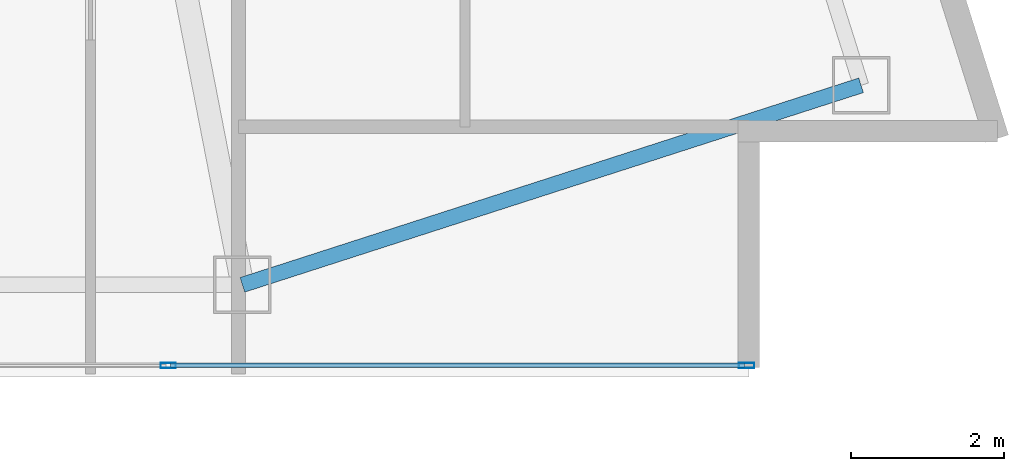
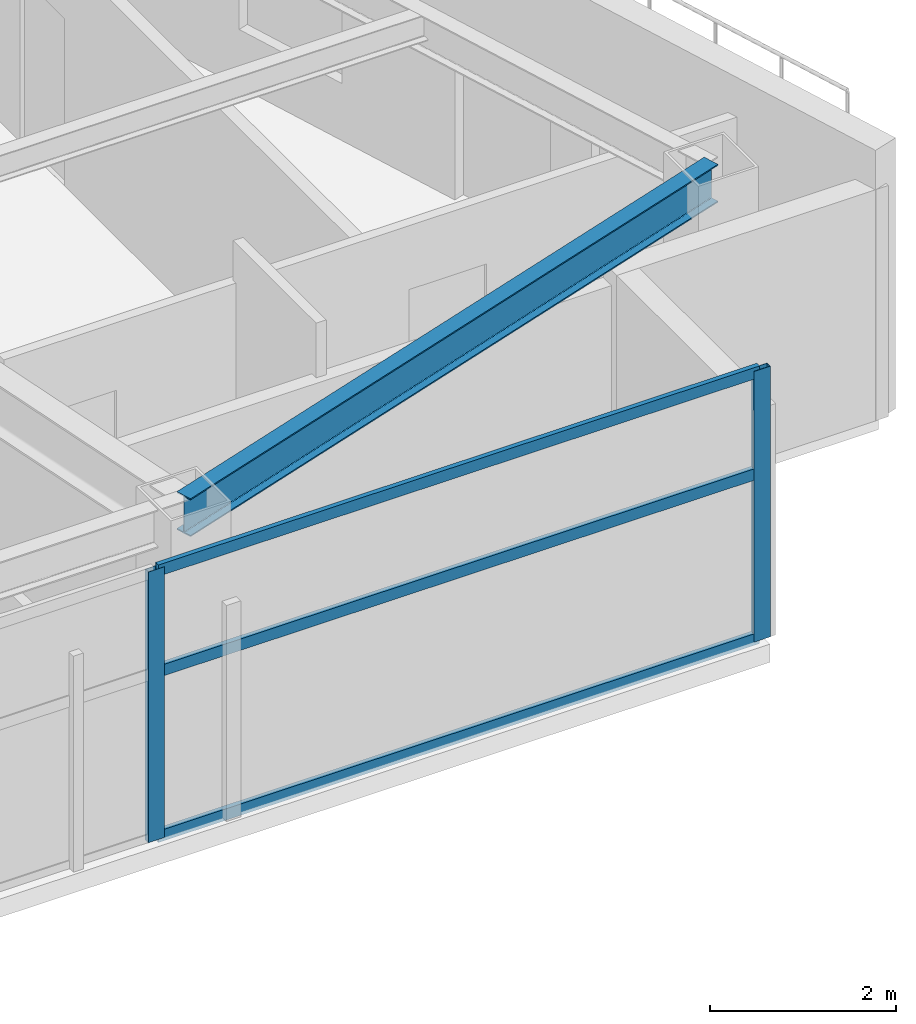
# One storey, part 14 of 29: 5 members, 1 beam, 1 element without a shape of its own.
"""IFC4 building model written with IfcOpenShell, lengths in metres."""

from ifc_helpers import new_model, si_unit, direction, frame, origin, origin_2d, place, context, subcontext, project, spatial, hollow_rectangle, i_section, extrude, material, layer, layer_set, material_profile, profile_set, type_object, element, aggregate, save


model = new_model("IFC4")

# Units and contexts
model_context = context("Model", 3, precision=1e-05, world=origin(), true_north=direction((0.0, 1.0)))
body_context = subcontext(model_context, "Body", "Model", "MODEL_VIEW")
ifc_project = project(units=[si_unit("LENGTHUNIT", "METRE"), si_unit("AREAUNIT", "SQUARE_METRE"), si_unit("VOLUMEUNIT", "CUBIC_METRE"), si_unit("PLANEANGLEUNIT", "RADIAN"), si_unit("MASSUNIT", "GRAM", prefix="KILO")], contexts=[model_context])

# Site, building, storey
site_placement = place(None, origin())
site = spatial("IfcSite", under=ifc_project, at=site_placement, CompositionType="ELEMENT")
building_placement = place(site_placement, origin())
building = spatial("IfcBuilding", under=site, at=building_placement, Name="Calvorn Quay Hotel", CompositionType="ELEMENT")
storey_placement = place(building_placement, frame((0.0, 0.0, 124.0)))
storey = spatial("IfcBuildingStorey", under=building, at=storey_placement, Name="L30", CompositionType="ELEMENT", Elevation=124.0)

# Beam
ifc_material_1 = material(Name="Steel Q355B", Category="steel")
ifc_material_profile_1 = material_profile(ifc_material_1, i_section(OverallWidth=0.199951171875, OverallDepth=0.5, WebThickness=0.010009765625, FlangeThickness=0.01611328125, FilletRadius=0.01611328125, at=origin_2d()), Name="HN500x200x10x16")
ifc_profile_set_1 = profile_set([ifc_material_profile_1], Name="Steel Q355B")
beam_type = type_object("IfcBeamType", Name="BM-SPANDREL-Z1", PredefinedType="SPANDREL", material=ifc_profile_set_1)
beam_placement = place(storey_placement, frame((49.39990234375, 3.60009765625, 3.2900390625), z_axis=(0.951725188386, 0.306951406237, 0.0), x_axis=(-0.306951406237, 0.951725188386, 0.0)))
element("IfcBeam", 1, at=beam_placement, inside=storey, type_object=beam_type, Name="Beam BSP-L30-S6", PredefinedType="SPANDREL", context=body_context, shape_type="SweptSolid", body=[
    extrude(i_section(OverallWidth=0.199951171875, OverallDepth=0.5, WebThickness=0.010009765625, FlangeThickness=0.01611328125, FilletRadius=0.01611328125, at=origin_2d()), origin(), (0.0, 0.0, 1.0), 8.469970703125),
])

# Curtain wall, members
ifc_material_2 = material(Name="Pale Anodised Aluminium and Low-E Glass", Category="aluminium")
ifc_layer = layer(ifc_material_2, 0.219970703125)
ifc_layer_set = layer_set([ifc_layer], Name="CW-SYS-Z2")
curtain_wall_type = type_object("IfcCurtainWallType", Name="CW-SYS-Z2", PredefinedType="NOTDEFINED", material=ifc_layer_set)
curtain_wall_placement = place(storey_placement, origin())
curtain_wall = element("IfcCurtainWall", 2, at=curtain_wall_placement, inside=storey, type_object=curtain_wall_type, Name="Tower South Waterfront Curtain Wall (L30)", PredefinedType="NOTDEFINED")
ifc_material_3 = material(Name="Pale Anodised Aluminium 6063-T6", Category="aluminium")
ifc_material_profile_2 = material_profile(ifc_material_3, hollow_rectangle(XDim=0.070068359375, YDim=0.199951171875, WallThickness=0.00390625, at=origin_2d()), Name="ALU-M200x70x4")
ifc_profile_set_2 = profile_set([ifc_material_profile_2], Name="Pale Anodised Aluminium 6063-T6")
member_type_1 = type_object("IfcMemberType", Name="CW-SYS-Z2-MUL", PredefinedType="MULLION", material=ifc_profile_set_2)
member_1_placement = place(storey_placement, frame((48.433349609375, 2.550048828125, 0.0), z_axis=(0.0, 0.0, 1.0), x_axis=(0.0, 1.0, 0.0)))
member_1 = element("IfcMember", 3, at=member_1_placement, type_object=member_type_1, Name="CW-L30-S mullion 6", PredefinedType="MULLION", context=body_context, shape_type="SweptSolid", body=[
    extrude(hollow_rectangle(XDim=0.070068359375, YDim=0.199951171875, WallThickness=0.00390625, at=origin_2d()), origin(), (0.0, 0.0, 1.0), 3.56005859375),
])
member_2_placement = place(storey_placement, frame((55.969970703125, 2.550048828125, 0.0), z_axis=(0.0, 0.0, 1.0), x_axis=(0.0, 1.0, 0.0)))
member_2 = element("IfcMember", 4, at=member_2_placement, type_object=member_type_1, Name="CW-L30-S mullion 7", PredefinedType="MULLION", context=body_context, shape_type="SweptSolid", body=[
    extrude(hollow_rectangle(XDim=0.070068359375, YDim=0.199951171875, WallThickness=0.00390625, at=origin_2d()), origin(), (0.0, 0.0, 1.0), 3.56005859375),
])
ifc_material_4 = material(Name="Pale Anodised Aluminium 6063-T6", Category="aluminium")
ifc_material_profile_3 = material_profile(ifc_material_4, hollow_rectangle(XDim=0.06005859375, YDim=0.14990234375, WallThickness=0.00341796875, at=origin_2d()), Name="ALU-T150x60x3.5")
ifc_profile_set_3 = profile_set([ifc_material_profile_3], Name="Pale Anodised Aluminium 6063-T6")
member_type_2 = type_object("IfcMemberType", Name="CW-SYS-Z2-TRN", PredefinedType="USERDEFINED", material=ifc_profile_set_3)
member_3_placement = place(storey_placement, frame((48.46337890625, 2.550048828125, 0.030029296875), z_axis=(1.0, 0.0, 0.0), x_axis=(0.0, 1.0, 0.0)))
member_3 = element("IfcMember", 5, at=member_3_placement, type_object=member_type_2, Name="CW-L30-S transom 6.1", ObjectType="TRANSOM", PredefinedType="USERDEFINED", context=body_context, shape_type="SweptSolid", body=[
    extrude(hollow_rectangle(XDim=0.06005859375, YDim=0.14990234375, WallThickness=0.00341796875, at=origin_2d()), origin(), (0.0, 0.0, 1.0), 7.4765625),
])
member_4_placement = place(storey_placement, frame((48.46337890625, 2.550048828125, 2.199951171875), z_axis=(1.0, 0.0, 0.0), x_axis=(0.0, 1.0, 0.0)))
member_4 = element("IfcMember", 6, at=member_4_placement, type_object=member_type_2, Name="CW-L30-S transom 6.2", ObjectType="TRANSOM", PredefinedType="USERDEFINED", context=body_context, shape_type="SweptSolid", body=[
    extrude(hollow_rectangle(XDim=0.06005859375, YDim=0.14990234375, WallThickness=0.00341796875, at=origin_2d()), origin(), (0.0, 0.0, 1.0), 7.4765625),
])
member_5_placement = place(storey_placement, frame((48.46337890625, 2.550048828125, 3.530029296875), z_axis=(1.0, 0.0, 0.0), x_axis=(0.0, 1.0, 0.0)))
member_5 = element("IfcMember", 7, at=member_5_placement, type_object=member_type_2, Name="CW-L30-S transom 6.3", ObjectType="TRANSOM", PredefinedType="USERDEFINED", context=body_context, shape_type="SweptSolid", body=[
    extrude(hollow_rectangle(XDim=0.06005859375, YDim=0.14990234375, WallThickness=0.00341796875, at=origin_2d()), origin(), (0.0, 0.0, 1.0), 7.4765625),
])
aggregate(curtain_wall, [member_1, member_2, member_3, member_4, member_5])

save(model, "model.ifc")
